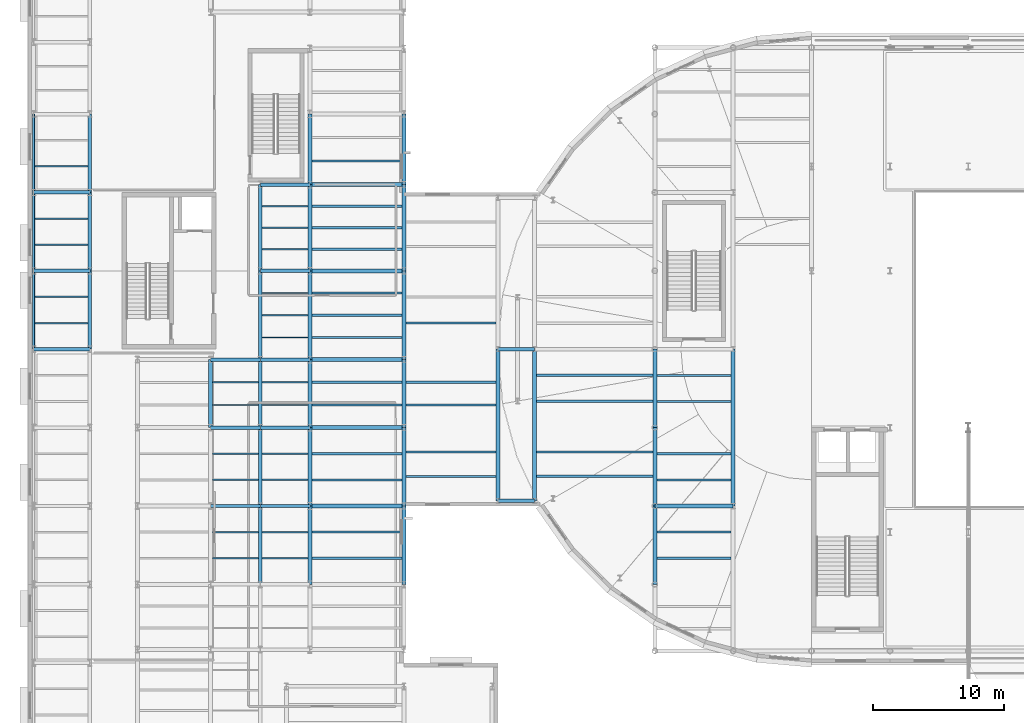
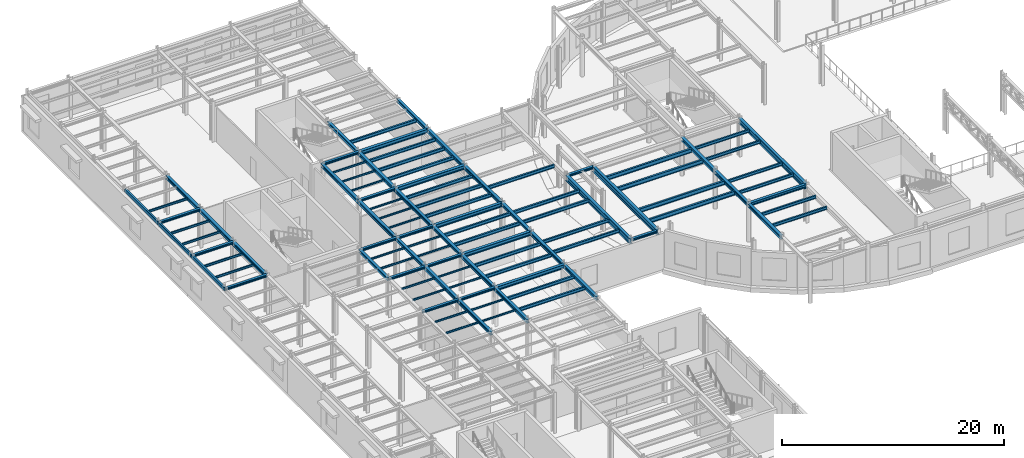
# One storey, part 19 of 91: 100 beams.
"""IFC4 building model written with IfcOpenShell, lengths in metres."""

from ifc_helpers import new_model, si_unit, direction, frame, origin, origin_2d, place, context, subcontext, project, spatial, hollow_rectangle, i_section, extrude, material, material_profile, profile_set, type_object, element, save


model = new_model("IFC4")

# Units and contexts
model_context = context("Model", 3, precision=1e-05, world=origin(), true_north=direction((0.0, 1.0)))
body_context = subcontext(model_context, "Body", "Model", "MODEL_VIEW")
ifc_project = project(units=[si_unit("LENGTHUNIT", "METRE"), si_unit("AREAUNIT", "SQUARE_METRE"), si_unit("VOLUMEUNIT", "CUBIC_METRE"), si_unit("PLANEANGLEUNIT", "RADIAN"), si_unit("MASSUNIT", "GRAM", prefix="KILO")], contexts=[model_context])

# Site, building, storey
site_placement = place(None, origin())
site = spatial("IfcSite", under=ifc_project, at=site_placement, CompositionType="ELEMENT")
building_placement = place(site_placement, origin())
building = spatial("IfcBuilding", under=site, at=building_placement, Name="Kolvaren Corner Interchange", CompositionType="ELEMENT")
storey_placement = place(building_placement, frame((0.0, 0.0, 6.0)))
storey = spatial("IfcBuildingStorey", under=building, at=storey_placement, Name="L02", CompositionType="ELEMENT", Elevation=6.0)

# Beams
ifc_material_1 = material(Name="Steel S355", Category="steel")
ifc_material_profile_1 = material_profile(ifc_material_1, i_section(OverallWidth=0.260009765625, OverallDepth=0.25, WebThickness=0.007568359375, FlangeThickness=0.012451171875, FilletRadius=0.02392578125, at=origin_2d()), Name="HEA 260")
ifc_profile_set_1 = profile_set([ifc_material_profile_1], Name="Steel S355")
beam_type_1 = type_object("IfcBeamType", Name="BM-HEA260", PredefinedType="BEAM", material=ifc_profile_set_1)
for number, where, z_axis, x_axis, name in (
    (1, (14.0, 36.0, 4.125), (1.0, 0.0, 0.0), (0.0, 1.0, 0.0), "Storey L02 Grid X Primary Girder 0562"),
    (2, (17.800048828125, 36.0, 4.125), (1.0, 0.0, 0.0), (0.0, 1.0, 0.0), "Storey L02 Grid X Primary Girder 0563"),
):
    element("IfcBeam", number, at=place(storey_placement, frame(where, z_axis=z_axis, x_axis=x_axis)), inside=storey, type_object=beam_type_1, Name=name, PredefinedType="BEAM", context=body_context, shape_type="SweptSolid", body=[
        extrude(i_section(OverallWidth=0.260009765625, OverallDepth=0.25, WebThickness=0.007568359375, FlangeThickness=0.012451171875, FilletRadius=0.02392578125, at=origin_2d()), origin(), (0.0, 0.0, 1.0), 3.800048828125),
    ])
beam_1_placement = place(storey_placement, frame((36.0, 36.39990234375, 4.125), z_axis=(1.0, 0.0, 0.0), x_axis=(0.0, 1.0, 0.0)))
element("IfcBeam", 3, at=beam_1_placement, inside=storey, type_object=beam_type_1, Name="Storey L02 Grid X Primary Girder 0567", PredefinedType="BEAM", context=body_context, shape_type="SweptSolid", body=[
    extrude(i_section(OverallWidth=0.260009765625, OverallDepth=0.25, WebThickness=0.007568359375, FlangeThickness=0.012451171875, FilletRadius=0.02392578125, at=origin_2d()), origin(), (0.0, 0.0, 1.0), 2.800048828125),
])
for number, where, z_axis, x_axis, name in (
    (4, (14.0, 42.0, 4.125), (1.0, 0.0, 0.0), (0.0, 1.0, 0.0), "Storey L02 Grid X Primary Girder 0569"),
    (5, (17.800048828125, 42.0, 4.125), (1.0, 0.0, 0.0), (0.0, 1.0, 0.0), "Storey L02 Grid X Primary Girder 0570"),
    (6, (14.0, 47.199951171875, 4.125), (1.0, 0.0, 0.0), (0.0, 1.0, 0.0), "Storey L02 Grid X Primary Girder 0573"),
    (7, (17.800048828125, 47.199951171875, 4.125), (1.0, 0.0, 0.0), (0.0, 1.0, 0.0), "Storey L02 Grid X Primary Girder 0574"),
):
    element("IfcBeam", number, at=place(storey_placement, frame(where, z_axis=z_axis, x_axis=x_axis)), inside=storey, type_object=beam_type_1, Name=name, PredefinedType="BEAM", context=body_context, shape_type="SweptSolid", body=[
        extrude(i_section(OverallWidth=0.260009765625, OverallDepth=0.25, WebThickness=0.007568359375, FlangeThickness=0.012451171875, FilletRadius=0.02392578125, at=origin_2d()), origin(), (0.0, 0.0, 1.0), 3.800048828125),
    ])
beam_2_placement = place(storey_placement, frame((36.0, 48.0, 4.125), z_axis=(1.0, 0.0, 0.0), x_axis=(0.0, 1.0, 0.0)))
element("IfcBeam", 8, at=beam_2_placement, inside=storey, type_object=beam_type_1, Name="Storey L02 Grid X Primary Girder 0576", PredefinedType="BEAM", context=body_context, shape_type="SweptSolid", body=[
    extrude(i_section(OverallWidth=0.260009765625, OverallDepth=0.25, WebThickness=0.007568359375, FlangeThickness=0.012451171875, FilletRadius=0.02392578125, at=origin_2d()), origin(), (0.0, 0.0, 1.0), 2.800048828125),
])
for number, where, z_axis, x_axis, name in (
    (9, (17.800048828125, 54.0, 4.125), (1.0, 0.0, 0.0), (0.0, 1.0, 0.0), "Storey L02 Grid X Primary Girder 0580"),
    (10, (17.800048828125, 60.60009765625, 4.125), (1.0, 0.0, 0.0), (0.0, 1.0, 0.0), "Storey L02 Grid X Primary Girder 0585"),
):
    element("IfcBeam", number, at=place(storey_placement, frame(where, z_axis=z_axis, x_axis=x_axis)), inside=storey, type_object=beam_type_1, Name=name, PredefinedType="BEAM", context=body_context, shape_type="SweptSolid", body=[
        extrude(i_section(OverallWidth=0.260009765625, OverallDepth=0.25, WebThickness=0.007568359375, FlangeThickness=0.012451171875, FilletRadius=0.02392578125, at=origin_2d()), origin(), (0.0, 0.0, 1.0), 3.800048828125),
    ])
for number, where, z_axis, x_axis, name in (
    (11, (0.449951171875, 48.0, 4.125), (1.0, 0.0, 0.0), (0.0, 1.0, 0.0), "Storey L02 Grid X Primary Girder 0693"),
    (12, (0.449951171875, 54.0, 4.125), (1.0, 0.0, 0.0), (0.0, 1.0, 0.0), "Storey L02 Grid X Primary Girder 0694"),
    (13, (0.449951171875, 60.0, 4.125), (1.0, 0.0, 0.0), (0.0, 1.0, 0.0), "Storey L02 Grid X Primary Girder 0695"),
):
    element("IfcBeam", number, at=place(storey_placement, frame(where, z_axis=z_axis, x_axis=x_axis)), inside=storey, type_object=beam_type_1, Name=name, PredefinedType="BEAM", context=body_context, shape_type="SweptSolid", body=[
        extrude(i_section(OverallWidth=0.260009765625, OverallDepth=0.25, WebThickness=0.007568359375, FlangeThickness=0.012451171875, FilletRadius=0.02392578125, at=origin_2d()), origin(), (0.0, 0.0, 1.0), 4.300048828125),
    ])
ifc_material_2 = material(Name="Steel S355", Category="steel")
ifc_material_profile_2 = material_profile(ifc_material_2, i_section(OverallWidth=0.300048828125, OverallDepth=0.31005859375, WebThickness=0.009033203125, FlangeThickness=0.015380859375, FilletRadius=0.027099609375, at=origin_2d()), Name="HEA 320")
ifc_profile_set_2 = profile_set([ifc_material_profile_2], Name="Steel S355")
beam_type_2 = type_object("IfcBeamType", Name="BM-HEA320", PredefinedType="BEAM", material=ifc_profile_set_2)
for number, where, z_axis, x_axis, name in (
    (14, (14.0, 42.0, 4.094970703125), (0.0, 1.0, 0.0), (-1.0, 0.0, 0.0), "Storey L02 Grid Y Primary Girder 0612"),
    (15, (17.800048828125, 42.0, 4.094970703125), (0.0, 1.0, 0.0), (-1.0, 0.0, 0.0), "Storey L02 Grid Y Primary Girder 0617"),
    (16, (21.60009765625, 42.0, 4.094970703125), (0.0, 1.0, 0.0), (-1.0, 0.0, 0.0), "Storey L02 Grid Y Primary Girder 0623"),
):
    element("IfcBeam", number, at=place(storey_placement, frame(where, z_axis=z_axis, x_axis=x_axis)), inside=storey, type_object=beam_type_2, Name=name, PredefinedType="BEAM", context=body_context, shape_type="SweptSolid", body=[
        extrude(i_section(OverallWidth=0.300048828125, OverallDepth=0.31005859375, WebThickness=0.009033203125, FlangeThickness=0.015380859375, FilletRadius=0.027099609375, at=origin_2d()), origin(), (0.0, 0.0, 1.0), 5.199951171875),
    ])
beam_3_placement = place(storey_placement, frame((21.60009765625, 60.60009765625, 4.094970703125), z_axis=(0.0, 1.0, 0.0), x_axis=(-1.0, 0.0, 0.0)))
element("IfcBeam", 17, at=beam_3_placement, inside=storey, type_object=beam_type_2, Name="Storey L02 Grid Y Primary Girder 0626", PredefinedType="BEAM", context=body_context, shape_type="SweptSolid", body=[
    extrude(i_section(OverallWidth=0.300048828125, OverallDepth=0.31005859375, WebThickness=0.009033203125, FlangeThickness=0.015380859375, FilletRadius=0.027099609375, at=origin_2d()), origin(), (0.0, 0.0, 1.0), 5.39990234375),
])
beam_4_placement = place(storey_placement, frame((28.800048828125, 42.0, 4.094970703125), z_axis=(0.0, 1.0, 0.0), x_axis=(-1.0, 0.0, 0.0)))
element("IfcBeam", 18, at=beam_4_placement, inside=storey, type_object=beam_type_2, Name="Storey L02 Grid Y Primary Girder 0631", PredefinedType="BEAM", context=body_context, shape_type="SweptSolid", body=[
    extrude(i_section(OverallWidth=0.300048828125, OverallDepth=0.31005859375, WebThickness=0.009033203125, FlangeThickness=0.015380859375, FilletRadius=0.027099609375, at=origin_2d()), origin(), (0.0, 0.0, 1.0), 5.199951171875),
])
beam_5_placement = place(storey_placement, frame((28.800048828125, 60.60009765625, 4.094970703125), z_axis=(0.0, 1.0, 0.0), x_axis=(-1.0, 0.0, 0.0)))
element("IfcBeam", 19, at=beam_5_placement, inside=storey, type_object=beam_type_2, Name="Storey L02 Grid Y Primary Girder 0634", PredefinedType="BEAM", context=body_context, shape_type="SweptSolid", body=[
    extrude(i_section(OverallWidth=0.300048828125, OverallDepth=0.31005859375, WebThickness=0.009033203125, FlangeThickness=0.015380859375, FilletRadius=0.027099609375, at=origin_2d()), origin(), (0.0, 0.0, 1.0), 5.39990234375),
])
ifc_material_3 = material(Name="Steel S355", Category="steel")
ifc_material_profile_3 = material_profile(ifc_material_3, i_section(OverallWidth=0.300048828125, OverallDepth=0.35009765625, WebThickness=0.010009765625, FlangeThickness=0.017578125, FilletRadius=0.027099609375, at=origin_2d()), Name="HEA 360")
ifc_profile_set_3 = profile_set([ifc_material_profile_3], Name="Steel S355")
beam_type_3 = type_object("IfcBeamType", Name="BM-HEA360", PredefinedType="BEAM", material=ifc_profile_set_3)
beam_6_placement = place(storey_placement, frame((48.0, 36.0, 4.074951171875), z_axis=(1.0, 0.0, 0.0), x_axis=(0.0, 1.0, 0.0)))
element("IfcBeam", 20, at=beam_6_placement, inside=storey, type_object=beam_type_3, Name="Storey L02 Grid X Primary Girder 0565", PredefinedType="BEAM", context=body_context, shape_type="SweptSolid", body=[
    extrude(i_section(OverallWidth=0.300048828125, OverallDepth=0.35009765625, WebThickness=0.010009765625, FlangeThickness=0.017578125, FilletRadius=0.027099609375, at=origin_2d()), origin(), (0.0, 0.0, 1.0), 6.0),
])
ifc_material_4 = material(Name="Steel S355", Category="steel")
ifc_material_profile_4 = material_profile(ifc_material_4, i_section(OverallWidth=0.300048828125, OverallDepth=0.389892578125, WebThickness=0.010986328125, FlangeThickness=0.01904296875, FilletRadius=0.027099609375, at=origin_2d()), Name="HEA 400")
ifc_profile_set_4 = profile_set([ifc_material_profile_4], Name="Steel S355")
beam_type_4 = type_object("IfcBeamType", Name="BM-HEA400", PredefinedType="BEAM", material=ifc_profile_set_4)
for number, where, z_axis, x_axis, name in (
    (21, (17.800048828125, 30.0, 4.054931640625), (0.0, 1.0, 0.0), (-1.0, 0.0, 0.0), "Storey L02 Grid Y Primary Girder 0615"),
    (22, (17.800048828125, 36.0, 4.054931640625), (0.0, 1.0, 0.0), (-1.0, 0.0, 0.0), "Storey L02 Grid Y Primary Girder 0616"),
):
    element("IfcBeam", number, at=place(storey_placement, frame(where, z_axis=z_axis, x_axis=x_axis)), inside=storey, type_object=beam_type_4, Name=name, PredefinedType="BEAM", context=body_context, shape_type="SweptSolid", body=[
        extrude(i_section(OverallWidth=0.300048828125, OverallDepth=0.389892578125, WebThickness=0.010986328125, FlangeThickness=0.01904296875, FilletRadius=0.027099609375, at=origin_2d()), origin(), (0.0, 0.0, 1.0), 6.0),
    ])
beam_7_placement = place(storey_placement, frame((17.800048828125, 47.199951171875, 4.054931640625), z_axis=(0.0, 1.0, 0.0), x_axis=(-1.0, 0.0, 0.0)))
element("IfcBeam", 23, at=beam_7_placement, inside=storey, type_object=beam_type_4, Name="Storey L02 Grid Y Primary Girder 0618", PredefinedType="BEAM", context=body_context, shape_type="SweptSolid", body=[
    extrude(i_section(OverallWidth=0.300048828125, OverallDepth=0.389892578125, WebThickness=0.010986328125, FlangeThickness=0.01904296875, FilletRadius=0.027099609375, at=origin_2d()), origin(), (0.0, 0.0, 1.0), 6.800048828125),
])
beam_8_placement = place(storey_placement, frame((17.800048828125, 54.0, 4.054931640625), z_axis=(0.0, 1.0, 0.0), x_axis=(-1.0, 0.0, 0.0)))
element("IfcBeam", 24, at=beam_8_placement, inside=storey, type_object=beam_type_4, Name="Storey L02 Grid Y Primary Girder 0619", PredefinedType="BEAM", context=body_context, shape_type="SweptSolid", body=[
    extrude(i_section(OverallWidth=0.300048828125, OverallDepth=0.389892578125, WebThickness=0.010986328125, FlangeThickness=0.01904296875, FilletRadius=0.027099609375, at=origin_2d()), origin(), (0.0, 0.0, 1.0), 6.60009765625),
])
for number, where, z_axis, x_axis, name in (
    (25, (21.60009765625, 30.0, 4.054931640625), (0.0, 1.0, 0.0), (-1.0, 0.0, 0.0), "Storey L02 Grid Y Primary Girder 0621"),
    (26, (21.60009765625, 36.0, 4.054931640625), (0.0, 1.0, 0.0), (-1.0, 0.0, 0.0), "Storey L02 Grid Y Primary Girder 0622"),
):
    element("IfcBeam", number, at=place(storey_placement, frame(where, z_axis=z_axis, x_axis=x_axis)), inside=storey, type_object=beam_type_4, Name=name, PredefinedType="BEAM", context=body_context, shape_type="SweptSolid", body=[
        extrude(i_section(OverallWidth=0.300048828125, OverallDepth=0.389892578125, WebThickness=0.010986328125, FlangeThickness=0.01904296875, FilletRadius=0.027099609375, at=origin_2d()), origin(), (0.0, 0.0, 1.0), 6.0),
    ])
beam_9_placement = place(storey_placement, frame((21.60009765625, 47.199951171875, 4.054931640625), z_axis=(0.0, 1.0, 0.0), x_axis=(-1.0, 0.0, 0.0)))
element("IfcBeam", 27, at=beam_9_placement, inside=storey, type_object=beam_type_4, Name="Storey L02 Grid Y Primary Girder 0624", PredefinedType="BEAM", context=body_context, shape_type="SweptSolid", body=[
    extrude(i_section(OverallWidth=0.300048828125, OverallDepth=0.389892578125, WebThickness=0.010986328125, FlangeThickness=0.01904296875, FilletRadius=0.027099609375, at=origin_2d()), origin(), (0.0, 0.0, 1.0), 6.800048828125),
])
beam_10_placement = place(storey_placement, frame((21.60009765625, 54.0, 4.054931640625), z_axis=(0.0, 1.0, 0.0), x_axis=(-1.0, 0.0, 0.0)))
element("IfcBeam", 28, at=beam_10_placement, inside=storey, type_object=beam_type_4, Name="Storey L02 Grid Y Primary Girder 0625", PredefinedType="BEAM", context=body_context, shape_type="SweptSolid", body=[
    extrude(i_section(OverallWidth=0.300048828125, OverallDepth=0.389892578125, WebThickness=0.010986328125, FlangeThickness=0.01904296875, FilletRadius=0.027099609375, at=origin_2d()), origin(), (0.0, 0.0, 1.0), 6.60009765625),
])
for number, where, z_axis, x_axis, name in (
    (29, (28.800048828125, 30.0, 4.054931640625), (0.0, 1.0, 0.0), (-1.0, 0.0, 0.0), "Storey L02 Grid Y Primary Girder 0629"),
    (30, (28.800048828125, 36.0, 4.054931640625), (0.0, 1.0, 0.0), (-1.0, 0.0, 0.0), "Storey L02 Grid Y Primary Girder 0630"),
):
    element("IfcBeam", number, at=place(storey_placement, frame(where, z_axis=z_axis, x_axis=x_axis)), inside=storey, type_object=beam_type_4, Name=name, PredefinedType="BEAM", context=body_context, shape_type="SweptSolid", body=[
        extrude(i_section(OverallWidth=0.300048828125, OverallDepth=0.389892578125, WebThickness=0.010986328125, FlangeThickness=0.01904296875, FilletRadius=0.027099609375, at=origin_2d()), origin(), (0.0, 0.0, 1.0), 6.0),
    ])
beam_11_placement = place(storey_placement, frame((28.800048828125, 47.199951171875, 4.054931640625), z_axis=(0.0, 1.0, 0.0), x_axis=(-1.0, 0.0, 0.0)))
element("IfcBeam", 31, at=beam_11_placement, inside=storey, type_object=beam_type_4, Name="Storey L02 Grid Y Primary Girder 0632", PredefinedType="BEAM", context=body_context, shape_type="SweptSolid", body=[
    extrude(i_section(OverallWidth=0.300048828125, OverallDepth=0.389892578125, WebThickness=0.010986328125, FlangeThickness=0.01904296875, FilletRadius=0.027099609375, at=origin_2d()), origin(), (0.0, 0.0, 1.0), 6.800048828125),
])
beam_12_placement = place(storey_placement, frame((28.800048828125, 54.0, 4.054931640625), z_axis=(0.0, 1.0, 0.0), x_axis=(-1.0, 0.0, 0.0)))
element("IfcBeam", 32, at=beam_12_placement, inside=storey, type_object=beam_type_4, Name="Storey L02 Grid Y Primary Girder 0633", PredefinedType="BEAM", context=body_context, shape_type="SweptSolid", body=[
    extrude(i_section(OverallWidth=0.300048828125, OverallDepth=0.389892578125, WebThickness=0.010986328125, FlangeThickness=0.01904296875, FilletRadius=0.027099609375, at=origin_2d()), origin(), (0.0, 0.0, 1.0), 6.60009765625),
])
for number, where, z_axis, x_axis, name in (
    (33, (48.0, 30.0, 4.054931640625), (0.0, 1.0, 0.0), (-1.0, 0.0, 0.0), "Storey L02 Grid Y Primary Girder 0642"),
    (34, (48.0, 36.0, 4.054931640625), (0.0, 1.0, 0.0), (-1.0, 0.0, 0.0), "Storey L02 Grid Y Primary Girder 0643"),
    (35, (48.0, 42.0, 4.054931640625), (0.0, 1.0, 0.0), (-1.0, 0.0, 0.0), "Storey L02 Grid Y Primary Girder 0644"),
    (36, (4.75, 48.0, 4.054931640625), (0.0, 1.0, 0.0), (-1.0, 0.0, 0.0), "Storey L02 Grid Y Primary Girder 0762"),
    (37, (4.75, 54.0, 4.054931640625), (0.0, 1.0, 0.0), (-1.0, 0.0, 0.0), "Storey L02 Grid Y Primary Girder 0763"),
    (38, (4.75, 60.0, 4.054931640625), (0.0, 1.0, 0.0), (-1.0, 0.0, 0.0), "Storey L02 Grid Y Primary Girder 0764"),
):
    element("IfcBeam", number, at=place(storey_placement, frame(where, z_axis=z_axis, x_axis=x_axis)), inside=storey, type_object=beam_type_4, Name=name, PredefinedType="BEAM", context=body_context, shape_type="SweptSolid", body=[
        extrude(i_section(OverallWidth=0.300048828125, OverallDepth=0.389892578125, WebThickness=0.010986328125, FlangeThickness=0.01904296875, FilletRadius=0.027099609375, at=origin_2d()), origin(), (0.0, 0.0, 1.0), 6.0),
    ])
ifc_material_5 = material(Name="Steel S355", Category="steel")
ifc_material_profile_5 = material_profile(ifc_material_5, i_section(OverallWidth=0.300048828125, OverallDepth=0.43994140625, WebThickness=0.011474609375, FlangeThickness=0.02099609375, FilletRadius=0.027099609375, at=origin_2d()), Name="HEA 450")
ifc_profile_set_5 = profile_set([ifc_material_profile_5], Name="Steel S355")
beam_type_5 = type_object("IfcBeamType", Name="BM-HEA450", PredefinedType="BEAM", material=ifc_profile_set_5)
for number, where, z_axis, x_axis, name in (
    (39, (21.60009765625, 36.0, 4.030029296875), (1.0, 0.0, 0.0), (0.0, 1.0, 0.0), "Storey L02 Grid X Primary Girder 0564"),
    (40, (21.60009765625, 42.0, 4.030029296875), (1.0, 0.0, 0.0), (0.0, 1.0, 0.0), "Storey L02 Grid X Primary Girder 0571"),
    (41, (21.60009765625, 47.199951171875, 4.030029296875), (1.0, 0.0, 0.0), (0.0, 1.0, 0.0), "Storey L02 Grid X Primary Girder 0575"),
    (42, (21.60009765625, 54.0, 4.030029296875), (1.0, 0.0, 0.0), (0.0, 1.0, 0.0), "Storey L02 Grid X Primary Girder 0581"),
    (43, (21.60009765625, 60.60009765625, 4.030029296875), (1.0, 0.0, 0.0), (0.0, 1.0, 0.0), "Storey L02 Grid X Primary Girder 0586"),
):
    element("IfcBeam", number, at=place(storey_placement, frame(where, z_axis=z_axis, x_axis=x_axis)), inside=storey, type_object=beam_type_5, Name=name, PredefinedType="BEAM", context=body_context, shape_type="SweptSolid", body=[
        extrude(i_section(OverallWidth=0.300048828125, OverallDepth=0.43994140625, WebThickness=0.011474609375, FlangeThickness=0.02099609375, FilletRadius=0.027099609375, at=origin_2d()), origin(), (0.0, 0.0, 1.0), 7.199951171875),
    ])
ifc_material_6 = material(Name="Steel S355", Category="steel")
ifc_material_profile_6 = material_profile(ifc_material_6, i_section(OverallWidth=0.300048828125, OverallDepth=0.590087890625, WebThickness=0.012939453125, FlangeThickness=0.02490234375, FilletRadius=0.027099609375, at=origin_2d()), Name="HEA 600")
ifc_profile_set_6 = profile_set([ifc_material_profile_6], Name="Steel S355")
beam_type_6 = type_object("IfcBeamType", Name="BM-HEA600", PredefinedType="BEAM", material=ifc_profile_set_6)
for number, where, z_axis, x_axis, name in (
    (44, (36.0, 36.39990234375, 3.955078125), (0.0, 1.0, 0.0), (-1.0, 0.0, 0.0), "Storey L02 Grid Y Primary Girder 0636"),
    (45, (38.800048828125, 36.39990234375, 3.955078125), (0.0, 1.0, 0.0), (-1.0, 0.0, 0.0), "Storey L02 Grid Y Primary Girder 0639"),
):
    element("IfcBeam", number, at=place(storey_placement, frame(where, z_axis=z_axis, x_axis=x_axis)), inside=storey, type_object=beam_type_6, Name=name, PredefinedType="BEAM", context=body_context, shape_type="SweptSolid", body=[
        extrude(i_section(OverallWidth=0.300048828125, OverallDepth=0.590087890625, WebThickness=0.012939453125, FlangeThickness=0.02490234375, FilletRadius=0.027099609375, at=origin_2d()), origin(), (0.0, 0.0, 1.0), 11.60009765625),
    ])
beam_13_placement = place(storey_placement, frame((54.0, 36.0, 3.955078125), z_axis=(0.0, 1.0, 0.0), x_axis=(-1.0, 0.0, 0.0)))
element("IfcBeam", 46, at=beam_13_placement, inside=storey, type_object=beam_type_6, Name="Storey L02 Grid Y Primary Girder 0650", PredefinedType="BEAM", context=body_context, shape_type="SweptSolid", body=[
    extrude(i_section(OverallWidth=0.300048828125, OverallDepth=0.590087890625, WebThickness=0.012939453125, FlangeThickness=0.02490234375, FilletRadius=0.027099609375, at=origin_2d()), origin(), (0.0, 0.0, 1.0), 12.0),
])
ifc_material_7 = material(Name="Steel S355", Category="steel")
ifc_material_profile_7 = material_profile(ifc_material_7, i_section(OverallWidth=0.10009765625, OverallDepth=0.199951171875, WebThickness=0.005615234375, FlangeThickness=0.008544921875, FilletRadius=0.011962890625, at=origin_2d()), Name="IPE 200")
ifc_profile_set_7 = profile_set([ifc_material_profile_7], Name="Steel S355")
beam_type_7 = type_object("IfcBeamType", Name="JS-IPE200", PredefinedType="JOIST", material=ifc_profile_set_7)
for number, where, z_axis, x_axis, name in (
    (47, (14.14990234375, 32.0, 4.14990234375), (1.0, 0.0, 0.0), (0.0, 1.0, 0.0), "Storey L02 Composite Floor Joist 0547"),
    (48, (14.14990234375, 34.0, 4.14990234375), (1.0, 0.0, 0.0), (0.0, 1.0, 0.0), "Storey L02 Composite Floor Joist 0548"),
    (49, (14.14990234375, 38.0, 4.14990234375), (1.0, 0.0, 0.0), (0.0, 1.0, 0.0), "Storey L02 Composite Floor Joist 0549"),
    (50, (14.14990234375, 40.0, 4.14990234375), (1.0, 0.0, 0.0), (0.0, 1.0, 0.0), "Storey L02 Composite Floor Joist 0550"),
    (51, (14.14990234375, 43.7333984375, 4.14990234375), (1.0, 0.0, 0.0), (0.0, 1.0, 0.0), "Storey L02 Composite Floor Joist 0551"),
    (52, (14.14990234375, 45.466796875, 4.14990234375), (1.0, 0.0, 0.0), (0.0, 1.0, 0.0), "Storey L02 Composite Floor Joist 0552"),
    (53, (17.949951171875, 32.0, 4.14990234375), (1.0, 0.0, 0.0), (0.0, 1.0, 0.0), "Storey L02 Composite Floor Joist 0555"),
    (54, (17.949951171875, 34.0, 4.14990234375), (1.0, 0.0, 0.0), (0.0, 1.0, 0.0), "Storey L02 Composite Floor Joist 0556"),
    (55, (17.949951171875, 38.0, 4.14990234375), (1.0, 0.0, 0.0), (0.0, 1.0, 0.0), "Storey L02 Composite Floor Joist 0557"),
    (56, (17.949951171875, 40.0, 4.14990234375), (1.0, 0.0, 0.0), (0.0, 1.0, 0.0), "Storey L02 Composite Floor Joist 0558"),
    (57, (17.949951171875, 43.7333984375, 4.14990234375), (1.0, 0.0, 0.0), (0.0, 1.0, 0.0), "Storey L02 Composite Floor Joist 0559"),
    (58, (17.949951171875, 45.466796875, 4.14990234375), (1.0, 0.0, 0.0), (0.0, 1.0, 0.0), "Storey L02 Composite Floor Joist 0560"),
    (59, (17.949951171875, 48.89990234375, 4.14990234375), (1.0, 0.0, 0.0), (0.0, 1.0, 0.0), "Storey L02 Composite Floor Joist 0561"),
    (60, (17.949951171875, 50.60009765625, 4.14990234375), (1.0, 0.0, 0.0), (0.0, 1.0, 0.0), "Storey L02 Composite Floor Joist 0562"),
    (61, (17.949951171875, 52.300048828125, 4.14990234375), (1.0, 0.0, 0.0), (0.0, 1.0, 0.0), "Storey L02 Composite Floor Joist 0563"),
    (62, (17.949951171875, 55.64990234375, 4.14990234375), (1.0, 0.0, 0.0), (0.0, 1.0, 0.0), "Storey L02 Composite Floor Joist 0564"),
    (63, (17.949951171875, 57.300048828125, 4.14990234375), (1.0, 0.0, 0.0), (0.0, 1.0, 0.0), "Storey L02 Composite Floor Joist 0565"),
    (64, (17.949951171875, 58.949951171875, 4.14990234375), (1.0, 0.0, 0.0), (0.0, 1.0, 0.0), "Storey L02 Composite Floor Joist 0566"),
):
    element("IfcBeam", number, at=place(storey_placement, frame(where, z_axis=z_axis, x_axis=x_axis)), inside=storey, type_object=beam_type_7, Name=name, PredefinedType="JOIST", context=body_context, shape_type="SweptSolid", body=[
        extrude(i_section(OverallWidth=0.10009765625, OverallDepth=0.199951171875, WebThickness=0.005615234375, FlangeThickness=0.008544921875, FilletRadius=0.011962890625, at=origin_2d()), origin(), (0.0, 0.0, 1.0), 3.5),
    ])
ifc_material_8 = material(Name="Steel S355", Category="steel")
ifc_material_profile_8 = material_profile(ifc_material_8, i_section(OverallWidth=0.1201171875, OverallDepth=0.239990234375, WebThickness=0.006103515625, FlangeThickness=0.009765625, FilletRadius=0.014892578125, at=origin_2d()), Name="IPE 240")
ifc_profile_set_8 = profile_set([ifc_material_profile_8], Name="Steel S355")
beam_type_8 = type_object("IfcBeamType", Name="JS-IPE240", PredefinedType="JOIST", material=ifc_profile_set_8)
for number, where, z_axis, x_axis, name in (
    (65, (0.550048828125, 50.0, 4.1298828125), (1.0, 0.0, 0.0), (0.0, 1.0, 0.0), "Storey L02 Composite Floor Joist 0655"),
    (66, (0.550048828125, 52.0, 4.1298828125), (1.0, 0.0, 0.0), (0.0, 1.0, 0.0), "Storey L02 Composite Floor Joist 0656"),
    (67, (0.550048828125, 56.0, 4.1298828125), (1.0, 0.0, 0.0), (0.0, 1.0, 0.0), "Storey L02 Composite Floor Joist 0657"),
    (68, (0.550048828125, 58.0, 4.1298828125), (1.0, 0.0, 0.0), (0.0, 1.0, 0.0), "Storey L02 Composite Floor Joist 0658"),
    (69, (0.550048828125, 62.0, 4.1298828125), (1.0, 0.0, 0.0), (0.0, 1.0, 0.0), "Storey L02 Composite Floor Joist 0659"),
):
    element("IfcBeam", number, at=place(storey_placement, frame(where, z_axis=z_axis, x_axis=x_axis)), inside=storey, type_object=beam_type_8, Name=name, PredefinedType="JOIST", context=body_context, shape_type="SweptSolid", body=[
        extrude(i_section(OverallWidth=0.1201171875, OverallDepth=0.239990234375, WebThickness=0.006103515625, FlangeThickness=0.009765625, FilletRadius=0.014892578125, at=origin_2d()), origin(), (0.0, 0.0, 1.0), 4.050048828125),
    ])
ifc_material_9 = material(Name="Steel S355", Category="steel")
ifc_material_profile_9 = material_profile(ifc_material_9, i_section(OverallWidth=0.159912109375, OverallDepth=0.330078125, WebThickness=0.007568359375, FlangeThickness=0.011474609375, FilletRadius=0.01806640625, at=origin_2d()), Name="IPE 330")
ifc_profile_set_9 = profile_set([ifc_material_profile_9], Name="Steel S355")
beam_type_9 = type_object("IfcBeamType", Name="JS-IPE330", PredefinedType="JOIST", material=ifc_profile_set_9)
for number, where, z_axis, x_axis, name in (
    (70, (48.14990234375, 32.0, 4.0849609375), (1.0, 0.0, 0.0), (0.0, 1.0, 0.0), "Storey L02 Composite Floor Joist 0603"),
    (71, (48.14990234375, 34.0, 4.0849609375), (1.0, 0.0, 0.0), (0.0, 1.0, 0.0), "Storey L02 Composite Floor Joist 0604"),
    (72, (48.14990234375, 38.0, 4.0849609375), (1.0, 0.0, 0.0), (0.0, 1.0, 0.0), "Storey L02 Composite Floor Joist 0605"),
    (73, (48.14990234375, 40.0, 4.0849609375), (1.0, 0.0, 0.0), (0.0, 1.0, 0.0), "Storey L02 Composite Floor Joist 0606"),
    (74, (48.14990234375, 44.0, 4.0849609375), (1.0, 0.0, 0.0), (0.0, 1.0, 0.0), "Storey L02 Composite Floor Joist 0607"),
    (75, (48.14990234375, 46.0, 4.0849609375), (1.0, 0.0, 0.0), (0.0, 1.0, 0.0), "Storey L02 Composite Floor Joist 0608"),
):
    element("IfcBeam", number, at=place(storey_placement, frame(where, z_axis=z_axis, x_axis=x_axis)), inside=storey, type_object=beam_type_9, Name=name, PredefinedType="JOIST", context=body_context, shape_type="SweptSolid", body=[
        extrude(i_section(OverallWidth=0.159912109375, OverallDepth=0.330078125, WebThickness=0.007568359375, FlangeThickness=0.011474609375, FilletRadius=0.01806640625, at=origin_2d()), origin(), (0.0, 0.0, 1.0), 5.7001953125),
    ])
ifc_material_10 = material(Name="Steel S355", Category="steel")
ifc_material_profile_10 = material_profile(ifc_material_10, i_section(OverallWidth=0.169921875, OverallDepth=0.360107421875, WebThickness=0.008056640625, FlangeThickness=0.0126953125, FilletRadius=0.01806640625, at=origin_2d()), Name="IPE 360")
ifc_profile_set_10 = profile_set([ifc_material_profile_10], Name="Steel S355")
beam_type_10 = type_object("IfcBeamType", Name="JS-IPE360", PredefinedType="JOIST", material=ifc_profile_set_10)
for number, where, z_axis, x_axis, name in (
    (76, (21.75, 32.0, 4.070068359375), (1.0, 0.0, 0.0), (0.0, 1.0, 0.0), "Storey L02 Composite Floor Joist 0569"),
    (77, (21.75, 34.0, 4.070068359375), (1.0, 0.0, 0.0), (0.0, 1.0, 0.0), "Storey L02 Composite Floor Joist 0570"),
    (78, (21.75, 38.0, 4.070068359375), (1.0, 0.0, 0.0), (0.0, 1.0, 0.0), "Storey L02 Composite Floor Joist 0571"),
    (79, (21.75, 40.0, 4.070068359375), (1.0, 0.0, 0.0), (0.0, 1.0, 0.0), "Storey L02 Composite Floor Joist 0572"),
    (80, (21.75, 43.7333984375, 4.070068359375), (1.0, 0.0, 0.0), (0.0, 1.0, 0.0), "Storey L02 Composite Floor Joist 0573"),
    (81, (21.75, 45.466796875, 4.070068359375), (1.0, 0.0, 0.0), (0.0, 1.0, 0.0), "Storey L02 Composite Floor Joist 0574"),
    (82, (21.75, 48.89990234375, 4.070068359375), (1.0, 0.0, 0.0), (0.0, 1.0, 0.0), "Storey L02 Composite Floor Joist 0575"),
    (83, (21.75, 50.60009765625, 4.070068359375), (1.0, 0.0, 0.0), (0.0, 1.0, 0.0), "Storey L02 Composite Floor Joist 0576"),
    (84, (21.75, 52.300048828125, 4.070068359375), (1.0, 0.0, 0.0), (0.0, 1.0, 0.0), "Storey L02 Composite Floor Joist 0577"),
    (85, (21.75, 55.64990234375, 4.070068359375), (1.0, 0.0, 0.0), (0.0, 1.0, 0.0), "Storey L02 Composite Floor Joist 0578"),
    (86, (21.75, 57.300048828125, 4.070068359375), (1.0, 0.0, 0.0), (0.0, 1.0, 0.0), "Storey L02 Composite Floor Joist 0579"),
    (87, (21.75, 58.949951171875, 4.070068359375), (1.0, 0.0, 0.0), (0.0, 1.0, 0.0), "Storey L02 Composite Floor Joist 0580"),
    (88, (21.75, 62.39990234375, 4.070068359375), (1.0, 0.0, 0.0), (0.0, 1.0, 0.0), "Storey L02 Composite Floor Joist 0581"),
):
    element("IfcBeam", number, at=place(storey_placement, frame(where, z_axis=z_axis, x_axis=x_axis)), inside=storey, type_object=beam_type_10, Name=name, PredefinedType="JOIST", context=body_context, shape_type="SweptSolid", body=[
        extrude(i_section(OverallWidth=0.169921875, OverallDepth=0.360107421875, WebThickness=0.008056640625, FlangeThickness=0.0126953125, FilletRadius=0.01806640625, at=origin_2d()), origin(), (0.0, 0.0, 1.0), 6.89990234375),
    ])
for number, where, z_axis, x_axis, name in (
    (89, (28.949951171875, 38.2666015625, 4.070068359375), (1.0, 0.0, 0.0), (0.0, 1.0, 0.0), "Storey L02 Composite Floor Joist 0585"),
    (90, (28.949951171875, 40.13330078125, 4.070068359375), (1.0, 0.0, 0.0), (0.0, 1.0, 0.0), "Storey L02 Composite Floor Joist 0586"),
    (91, (28.949951171875, 43.7333984375, 4.070068359375), (1.0, 0.0, 0.0), (0.0, 1.0, 0.0), "Storey L02 Composite Floor Joist 0587"),
    (92, (28.949951171875, 45.466796875, 4.070068359375), (1.0, 0.0, 0.0), (0.0, 1.0, 0.0), "Storey L02 Composite Floor Joist 0588"),
    (93, (28.949951171875, 50.0, 4.070068359375), (1.0, 0.0, 0.0), (0.0, 1.0, 0.0), "Storey L02 Composite Floor Joist 0589"),
):
    element("IfcBeam", number, at=place(storey_placement, frame(where, z_axis=z_axis, x_axis=x_axis)), inside=storey, type_object=beam_type_10, Name=name, PredefinedType="JOIST", context=body_context, shape_type="SweptSolid", body=[
        extrude(i_section(OverallWidth=0.169921875, OverallDepth=0.360107421875, WebThickness=0.008056640625, FlangeThickness=0.0126953125, FilletRadius=0.01806640625, at=origin_2d()), origin(), (0.0, 0.0, 1.0), 6.900146484375),
    ])
ifc_material_11 = material(Name="Steel S355", Category="steel")
ifc_material_profile_11 = material_profile(ifc_material_11, i_section(OverallWidth=0.18994140625, OverallDepth=0.449951171875, WebThickness=0.009521484375, FlangeThickness=0.0146484375, FilletRadius=0.02099609375, at=origin_2d()), Name="IPE 450")
ifc_profile_set_11 = profile_set([ifc_material_profile_11], Name="Steel S355")
beam_type_11 = type_object("IfcBeamType", Name="JS-IPE450", PredefinedType="JOIST", material=ifc_profile_set_11)
for number, where, z_axis, x_axis, name in (
    (94, (38.949951171875, 38.2666015625, 4.02490234375), (1.0, 0.0, 0.0), (0.0, 1.0, 0.0), "Storey L02 Composite Floor Joist 0593"),
    (95, (38.949951171875, 40.13330078125, 4.02490234375), (1.0, 0.0, 0.0), (0.0, 1.0, 0.0), "Storey L02 Composite Floor Joist 0594"),
    (96, (38.949951171875, 44.0, 4.02490234375), (1.0, 0.0, 0.0), (0.0, 1.0, 0.0), "Storey L02 Composite Floor Joist 0595"),
    (97, (38.949951171875, 46.0, 4.02490234375), (1.0, 0.0, 0.0), (0.0, 1.0, 0.0), "Storey L02 Composite Floor Joist 0596"),
):
    element("IfcBeam", number, at=place(storey_placement, frame(where, z_axis=z_axis, x_axis=x_axis)), inside=storey, type_object=beam_type_11, Name=name, PredefinedType="JOIST", context=body_context, shape_type="SweptSolid", body=[
        extrude(i_section(OverallWidth=0.18994140625, OverallDepth=0.449951171875, WebThickness=0.009521484375, FlangeThickness=0.0146484375, FilletRadius=0.02099609375, at=origin_2d()), origin(), (0.0, 0.0, 1.0), 8.900146484375),
    ])
ifc_material_12 = material(Name="Steel S355", Category="steel")
ifc_material_profile_12 = material_profile(ifc_material_12, hollow_rectangle(XDim=0.199951171875, YDim=0.35009765625, WallThickness=0.012451171875, InnerFilletRadius=0.012451171875, OuterFilletRadius=0.02490234375, at=origin_2d()), Name="RHS 350x200x12.5")
ifc_profile_set_12 = profile_set([ifc_material_profile_12], Name="Steel S355")
beam_type_12 = type_object("IfcBeamType", Name="SP-RHS350", PredefinedType="SPANDREL", material=ifc_profile_set_12)
for number, where, z_axis, x_axis, name in (
    (98, (0.449951171875, 48.0, 4.074951171875), (0.0, 1.0, 0.0), (-1.0, 0.0, 0.0), "Storey L02 Grid Y Primary Girder 0748"),
    (99, (0.449951171875, 54.0, 4.074951171875), (0.0, 1.0, 0.0), (-1.0, 0.0, 0.0), "Storey L02 Grid Y Primary Girder 0749"),
    (100, (0.449951171875, 60.0, 4.074951171875), (0.0, 1.0, 0.0), (-1.0, 0.0, 0.0), "Storey L02 Grid Y Primary Girder 0750"),
):
    element("IfcBeam", number, at=place(storey_placement, frame(where, z_axis=z_axis, x_axis=x_axis)), inside=storey, type_object=beam_type_12, Name=name, PredefinedType="SPANDREL", context=body_context, shape_type="SweptSolid", body=[
        extrude(hollow_rectangle(XDim=0.199951171875, YDim=0.35009765625, WallThickness=0.012451171875, InnerFilletRadius=0.012451171875, OuterFilletRadius=0.02490234375, at=origin_2d()), origin(), (0.0, 0.0, 1.0), 6.0),
    ])

save(model, "model.ifc")
